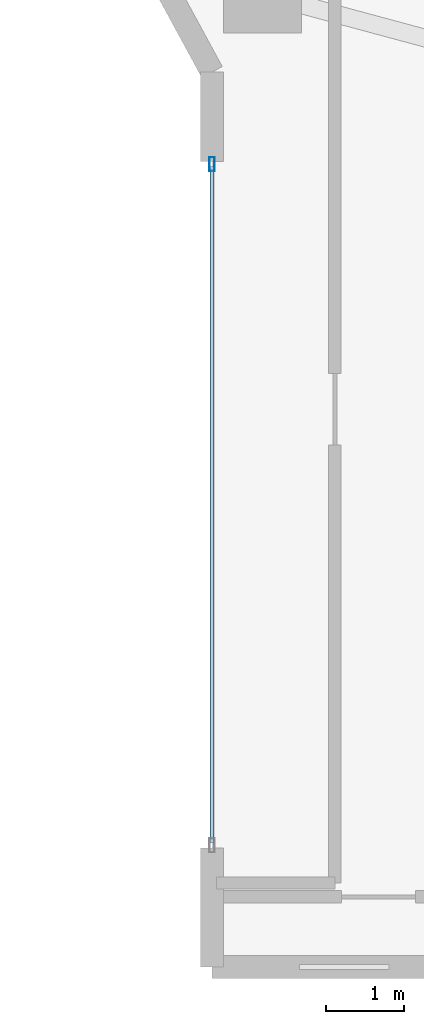
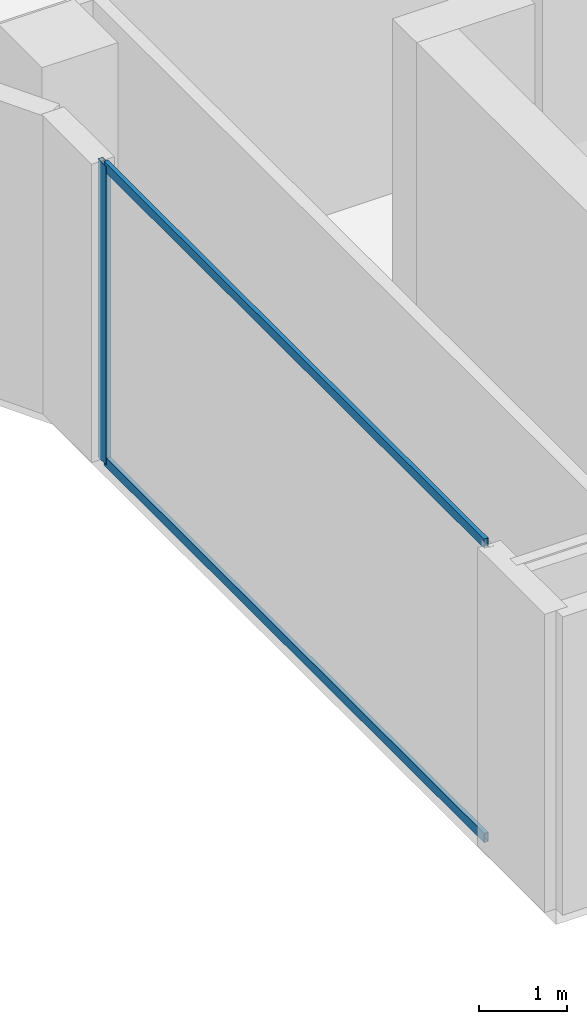
# One storey, part 3 of 24: 3 members, 1 element without a shape of its own.
"""IFC4 building model written with IfcOpenShell, lengths in metres."""

from ifc_helpers import new_model, si_unit, direction, frame, origin, origin_2d, place, context, subcontext, project, spatial, hollow_rectangle, extrude, material, layer, layer_set, material_profile, profile_set, type_object, element, aggregate, save


model = new_model("IFC4")

# Units and contexts
model_context = context("Model", 3, precision=1e-05, world=origin(), true_north=direction((0.0, 1.0)))
body_context = subcontext(model_context, "Body", "Model", "MODEL_VIEW")
ifc_project = project(units=[si_unit("LENGTHUNIT", "METRE"), si_unit("AREAUNIT", "SQUARE_METRE"), si_unit("VOLUMEUNIT", "CUBIC_METRE"), si_unit("PLANEANGLEUNIT", "RADIAN"), si_unit("MASSUNIT", "GRAM", prefix="KILO")], contexts=[model_context])

# Site, building, storey
site_placement = place(None, origin())
site = spatial("IfcSite", under=ifc_project, at=site_placement, CompositionType="ELEMENT")
building_placement = place(site_placement, origin())
building = spatial("IfcBuilding", under=site, at=building_placement, Name="Zuhayl Quay Hotel", CompositionType="ELEMENT")
storey_placement = place(building_placement, frame((0.0, 0.0, 292.85009765625)))
storey = spatial("IfcBuildingStorey", under=building, at=storey_placement, Name="L74", CompositionType="ELEMENT", Elevation=292.85009765625)

# Curtain wall, members
ifc_material_1 = material(Name="Anodised Aluminium 6063-T6", Category="aluminium")
ifc_layer = layer(ifc_material_1, 0.169921875, Name="Anodised Aluminium 6063-T6", Category="aluminium")
ifc_layer_set = layer_set([ifc_layer], Name="Anodised Aluminium 6063-T6")
curtain_wall_type = type_object("IfcCurtainWallType", Name="CW_SYS_Z4", PredefinedType="USERDEFINED", material=ifc_layer_set)
curtain_wall_placement = place(storey_placement, origin())
curtain_wall = element("IfcCurtainWall", 1, at=curtain_wall_placement, inside=storey, type_object=curtain_wall_type, Name="L74 Curtain Wall ENV_L74_E02_CW1", ObjectType="UNITISED CURTAIN WALL", PredefinedType="USERDEFINED")
ifc_material_2 = material(Name="Black-anodised aluminium 6063-T6", Category="aluminium")
ifc_material_profile_1 = material_profile(ifc_material_2, hollow_rectangle(XDim=0.06494140625, YDim=0.179931640625, WallThickness=0.00341796875, at=origin_2d()), Name="ALU180X65")
ifc_profile_set_1 = profile_set([ifc_material_profile_1], Name="Black-anodised aluminium 6063-T6")
member_type_1 = type_object("IfcMemberType", Name="MB_CW_MUL_180", PredefinedType="MULLION", material=ifc_profile_set_1)
member_1_placement = place(storey_placement, frame((-20.199951171875, 13.717529296875, 0.0), z_axis=(0.0, 0.0, 1.0), x_axis=(-1.0, 0.0, 0.0)))
member_1 = element("IfcMember", 2, at=member_1_placement, type_object=member_type_1, Name="CW-Z4 mullion 2", PredefinedType="MULLION", context=body_context, shape_type="SweptSolid", body=[
    extrude(hollow_rectangle(XDim=0.06494140625, YDim=0.179931640625, WallThickness=0.00341796875, at=origin_2d()), origin(), (0.0, 0.0, 1.0), 4.159912109375),
])
ifc_material_profile_2 = material_profile(ifc_material_2, hollow_rectangle(XDim=0.054931640625, YDim=0.1298828125, WallThickness=0.0029296875, at=origin_2d()), Name="ALU130X55")
ifc_profile_set_2 = profile_set([ifc_material_profile_2], Name="Black-anodised aluminium 6063-T6")
member_type_2 = type_object("IfcMemberType", Name="MB_CW_TRN_130", PredefinedType="USERDEFINED", material=ifc_profile_set_2)
member_2_placement = place(storey_placement, frame((-20.199951171875, 4.9951171875, 0.02734375), z_axis=(0.0, 1.0, 0.0), x_axis=(-1.0, 0.0, 0.0)))
member_2 = element("IfcMember", 3, at=member_2_placement, type_object=member_type_2, Name="CW-Z4 transom 1.1", ObjectType="TRANSOM", PredefinedType="USERDEFINED", context=body_context, shape_type="SweptSolid", body=[
    extrude(hollow_rectangle(XDim=0.054931640625, YDim=0.1298828125, WallThickness=0.0029296875, at=origin_2d()), origin(), (0.0, 0.0, 1.0), 8.68994140625),
])
member_3_placement = place(storey_placement, frame((-20.199951171875, 4.9951171875, 4.13232421875), z_axis=(0.0, 1.0, 0.0), x_axis=(-1.0, 0.0, 0.0)))
member_3 = element("IfcMember", 4, at=member_3_placement, type_object=member_type_2, Name="CW-Z4 transom 1.2", ObjectType="TRANSOM", PredefinedType="USERDEFINED", context=body_context, shape_type="SweptSolid", body=[
    extrude(hollow_rectangle(XDim=0.054931640625, YDim=0.1298828125, WallThickness=0.0029296875, at=origin_2d()), origin(), (0.0, 0.0, 1.0), 8.68994140625),
])
aggregate(curtain_wall, [member_1, member_2, member_3])

save(model, "model.ifc")
